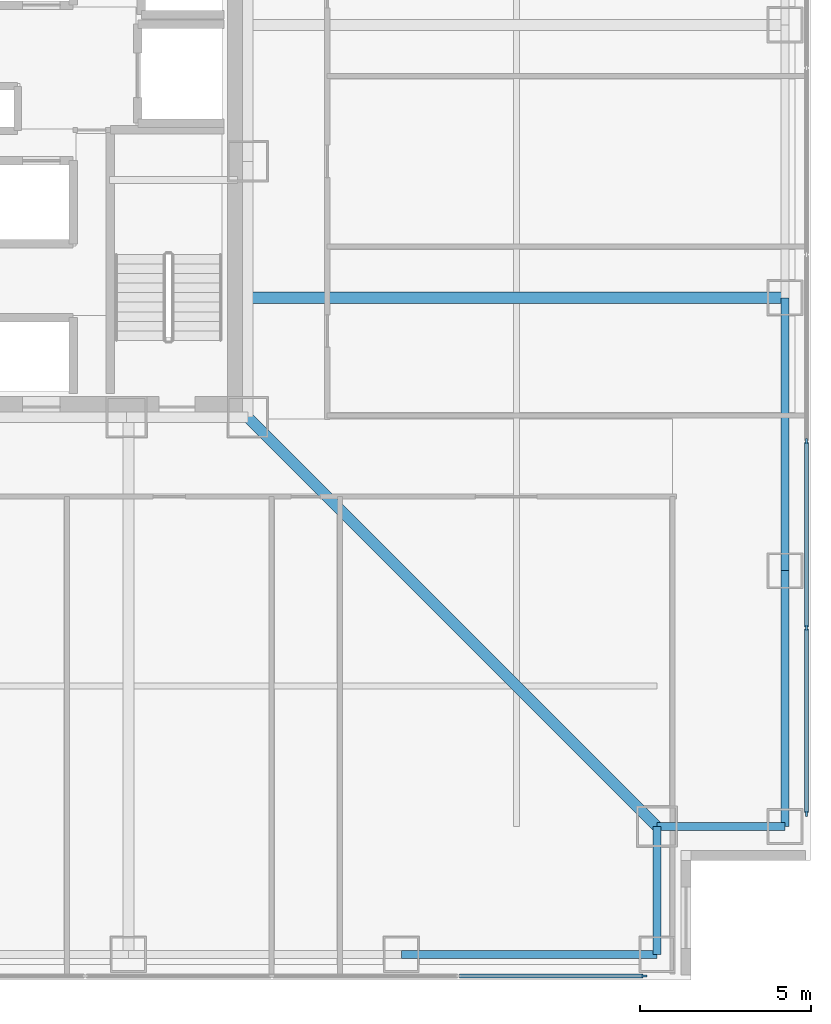
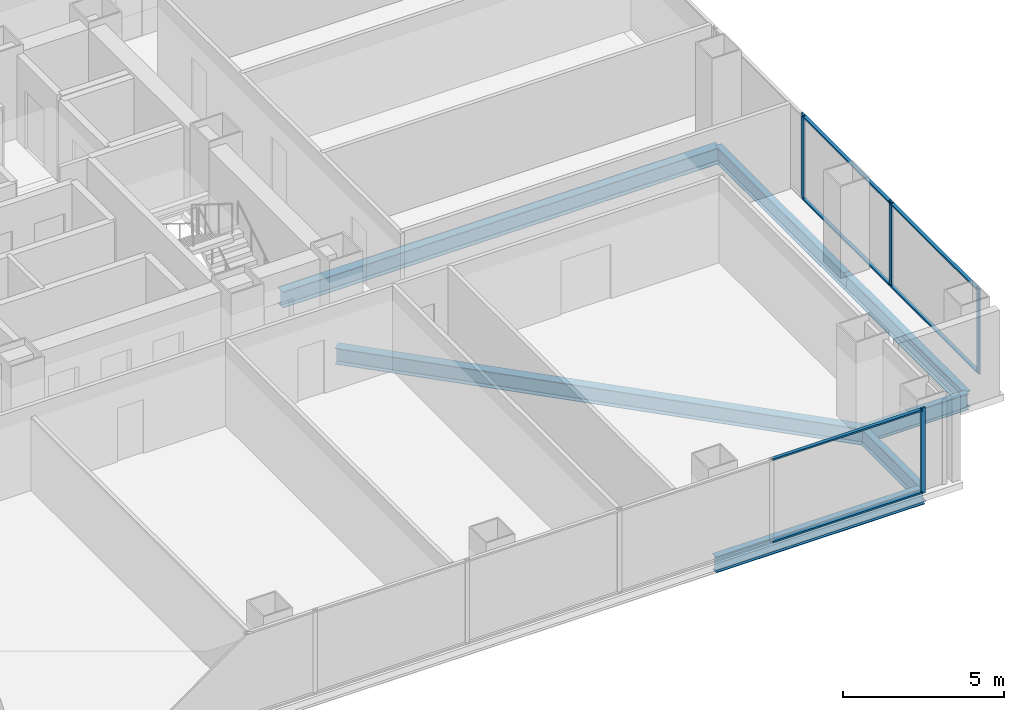
# One storey, part 8 of 19: 10 members, 7 beams, 2 elements without a shape of their own.
"""IFC4 building model written with IfcOpenShell, lengths in metres."""

from ifc_helpers import new_model, si_unit, direction, frame, origin, origin_2d, place, context, subcontext, project, spatial, rectangle, i_section, extrude, material, layer, layer_set, material_profile, profile_set, type_object, element, aggregate, save


model = new_model("IFC4")

# Units and contexts
model_context = context("Model", 3, precision=1e-05, world=origin(), true_north=direction((0.0, 1.0)))
body_context = subcontext(model_context, "Body", "Model", "MODEL_VIEW")
ifc_project = project(units=[si_unit("LENGTHUNIT", "METRE"), si_unit("AREAUNIT", "SQUARE_METRE"), si_unit("VOLUMEUNIT", "CUBIC_METRE"), si_unit("PLANEANGLEUNIT", "RADIAN"), si_unit("MASSUNIT", "GRAM", prefix="KILO")], contexts=[model_context])

# Site, building, storey
site_placement = place(None, origin())
site = spatial("IfcSite", under=ifc_project, at=site_placement, CompositionType="ELEMENT")
building_placement = place(site_placement, origin())
building = spatial("IfcBuilding", under=site, at=building_placement, Name="Trevonay Congress Spire", CompositionType="ELEMENT")
storey_placement = place(building_placement, frame((0.0, 0.0, 41.0)))
storey = spatial("IfcBuildingStorey", under=building, at=storey_placement, Name="L09", CompositionType="ELEMENT", Elevation=41.0)

# Beams
ifc_material_1 = material(Name="Steel ASTM A572 Grade 50", Category="steel")
ifc_material_profile_1 = material_profile(ifc_material_1, i_section(OverallWidth=0.324951171875, OverallDepth=0.615966796875, WebThickness=0.013916015625, FlangeThickness=0.021484375, FilletRadius=0.01806640625, at=origin_2d()), Name="W610x174")
ifc_profile_set_1 = profile_set([ifc_material_profile_1], Name="Steel ASTM A572 Grade 50")
beam_type_1 = type_object("IfcBeamType", Name="BM-GIRD-W610X174", PredefinedType="BEAM", material=ifc_profile_set_1)
beam_1_placement = place(storey_placement, frame((7.5, -7.5, -0.55810546875), z_axis=(0.707106781187, -0.707106781187, 0.0), x_axis=(0.707106781187, 0.707106781187, 0.0)))
element("IfcBeam", 1, at=beam_1_placement, inside=storey, type_object=beam_type_1, Name="L09 structural beam BM-L09-CDSE", PredefinedType="BEAM", context=body_context, shape_type="SweptSolid", body=[
    extrude(i_section(OverallWidth=0.324951171875, OverallDepth=0.615966796875, WebThickness=0.013916015625, FlangeThickness=0.021484375, FilletRadius=0.01806640625, at=origin_2d()), origin(), (0.0, 0.0, 1.0), 16.970458984375),
])
beam_2_placement = place(storey_placement, frame((7.5, -4.0, -0.55810546875), z_axis=(1.0, 0.0, 0.0), x_axis=(0.0, 1.0, 0.0)))
element("IfcBeam", 2, at=beam_2_placement, inside=storey, type_object=beam_type_1, Name="L09 structural beam BM-L09-GE-M", PredefinedType="BEAM", context=body_context, shape_type="SweptSolid", body=[
    extrude(i_section(OverallWidth=0.324951171875, OverallDepth=0.615966796875, WebThickness=0.013916015625, FlangeThickness=0.021484375, FilletRadius=0.01806640625, at=origin_2d()), origin(), (0.0, 0.0, 1.0), 15.75),
])
ifc_material_profile_2 = material_profile(ifc_material_1, i_section(OverallWidth=0.22998046875, OverallDepth=0.616943359375, WebThickness=0.01318359375, FlangeThickness=0.022216796875, FilletRadius=0.01611328125, at=origin_2d()), Name="W610x140")
ifc_profile_set_2 = profile_set([ifc_material_profile_2], Name="Steel ASTM A572 Grade 50")
beam_type_2 = type_object("IfcBeamType", Name="BM-RING-W610X140", PredefinedType="BEAM", material=ifc_profile_set_2)
beam_3_placement = place(storey_placement, frame((23.25, -19.5, -0.55859375), z_axis=(0.0, 1.0, 0.0), x_axis=(-1.0, 0.0, 0.0)))
element("IfcBeam", 3, at=beam_3_placement, inside=storey, type_object=beam_type_2, Name="L09 structural beam BM-L09-PE1", PredefinedType="BEAM", context=body_context, shape_type="SweptSolid", body=[
    extrude(i_section(OverallWidth=0.22998046875, OverallDepth=0.616943359375, WebThickness=0.01318359375, FlangeThickness=0.022216796875, FilletRadius=0.01611328125, at=origin_2d()), origin(), (0.0, 0.0, 1.0), 7.5),
])
beam_4_placement = place(storey_placement, frame((23.25, -12.0, -0.55859375), z_axis=(0.0, 1.0, 0.0), x_axis=(-1.0, 0.0, 0.0)))
element("IfcBeam", 4, at=beam_4_placement, inside=storey, type_object=beam_type_2, Name="L09 structural beam BM-L09-PE2", PredefinedType="BEAM", context=body_context, shape_type="SweptSolid", body=[
    extrude(i_section(OverallWidth=0.22998046875, OverallDepth=0.616943359375, WebThickness=0.01318359375, FlangeThickness=0.022216796875, FilletRadius=0.01611328125, at=origin_2d()), origin(), (0.0, 0.0, 1.0), 8.0),
])
beam_5_placement = place(storey_placement, frame((12.0, -23.25, -0.55859375), z_axis=(1.0, 0.0, 0.0), x_axis=(0.0, 1.0, 0.0)))
element("IfcBeam", 5, at=beam_5_placement, inside=storey, type_object=beam_type_2, Name="L09 structural beam BM-L09-PS5", PredefinedType="BEAM", context=body_context, shape_type="SweptSolid", body=[
    extrude(i_section(OverallWidth=0.22998046875, OverallDepth=0.616943359375, WebThickness=0.01318359375, FlangeThickness=0.022216796875, FilletRadius=0.01611328125, at=origin_2d()), origin(), (0.0, 0.0, 1.0), 7.5),
])
for number, where, z_axis, x_axis, name in (
    (6, (19.5, -23.25, -0.55859375), (0.0, 1.0, 0.0), (-1.0, 0.0, 0.0), "L09 structural beam BM-L09-N1SE"),
    (7, (23.25, -19.5, -0.55859375), (-1.0, 0.0, 0.0), (0.0, -1.0, 0.0), "L09 structural beam BM-L09-N2SE"),
):
    element("IfcBeam", number, at=place(storey_placement, frame(where, z_axis=z_axis, x_axis=x_axis)), inside=storey, type_object=beam_type_2, Name=name, PredefinedType="BEAM", context=body_context, shape_type="SweptSolid", body=[
        extrude(i_section(OverallWidth=0.22998046875, OverallDepth=0.616943359375, WebThickness=0.01318359375, FlangeThickness=0.022216796875, FilletRadius=0.01611328125, at=origin_2d()), origin(), (0.0, 0.0, 1.0), 3.75),
    ])

# Curtain wall, member
ifc_material_2 = material(Name="Pale Anodised Aluminium EN AW-6063-T6", Category="aluminium")
ifc_layer = layer(ifc_material_2, 0.179931640625, Name="Pale Anodised Aluminium EN AW-6063-T6")
ifc_layer_set = layer_set([ifc_layer], Name="Pale Anodised Aluminium EN AW-6063-T6")
curtain_wall_type = type_object("IfcCurtainWallType", Name="CW-SYS02-HOTEL-PALE-METAL", PredefinedType="NOTDEFINED", material=ifc_layer_set)
curtain_wall_1_placement = place(storey_placement, origin())
curtain_wall_1 = element("IfcCurtainWall", 8, at=curtain_wall_1_placement, inside=storey, type_object=curtain_wall_type, Name="L09 S unitised curtain wall", PredefinedType="NOTDEFINED")
ifc_material_profile_3 = material_profile(ifc_material_2, rectangle(XDim=0.06005859375, YDim=0.159912109375, at=origin_2d()), Name="CW-MULLION-160-ALUMINIUM")
ifc_profile_set_3 = profile_set([ifc_material_profile_3], Name="Pale Anodised Aluminium EN AW-6063-T6")
member_type_1 = type_object("IfcMemberType", Name="CW-MULLION-160-ALUMINIUM", PredefinedType="MULLION", material=ifc_profile_set_3)
member_1_placement = place(storey_placement, frame((19.1201171875, -23.8798828125, 0.0), z_axis=(0.0, 0.0, 1.0), x_axis=(0.0, 1.0, 0.0)))
member_1 = element("IfcMember", 9, at=member_1_placement, type_object=member_type_1, Name="CW02 mullion 8", PredefinedType="MULLION", context=body_context, shape_type="SweptSolid", body=[
    extrude(rectangle(XDim=0.06005859375, YDim=0.159912109375, at=origin_2d()), origin(), (0.0, 0.0, 1.0), 3.25),
])

# Curtain wall, members
curtain_wall_2_placement = place(storey_placement, origin())
curtain_wall_2 = element("IfcCurtainWall", 10, at=curtain_wall_2_placement, inside=storey, type_object=curtain_wall_type, Name="L09 E unitised curtain wall", PredefinedType="NOTDEFINED")
member_2_placement = place(storey_placement, frame((23.8798828125, -19.1201171875, 0.0), z_axis=(0.0, 0.0, 1.0), x_axis=(-1.0, 0.0, 0.0)))
member_2 = element("IfcMember", 11, at=member_2_placement, type_object=member_type_1, Name="CW02 mullion 1", PredefinedType="MULLION", context=body_context, shape_type="SweptSolid", body=[
    extrude(rectangle(XDim=0.06005859375, YDim=0.159912109375, at=origin_2d()), origin(), (0.0, 0.0, 1.0), 3.25),
])
member_3_placement = place(storey_placement, frame((23.8798828125, -13.678466796875, 0.0), z_axis=(0.0, 0.0, 1.0), x_axis=(-1.0, 0.0, 0.0)))
member_3 = element("IfcMember", 12, at=member_3_placement, type_object=member_type_1, Name="CW02 mullion 2", PredefinedType="MULLION", context=body_context, shape_type="SweptSolid", body=[
    extrude(rectangle(XDim=0.06005859375, YDim=0.159912109375, at=origin_2d()), origin(), (0.0, 0.0, 1.0), 3.25),
])
member_4_placement = place(storey_placement, frame((23.8798828125, -8.20703125, 0.0), z_axis=(0.0, 0.0, 1.0), x_axis=(-1.0, 0.0, 0.0)))
member_4 = element("IfcMember", 13, at=member_4_placement, type_object=member_type_1, Name="CW02 mullion 3", PredefinedType="MULLION", context=body_context, shape_type="SweptSolid", body=[
    extrude(rectangle(XDim=0.06005859375, YDim=0.159912109375, at=origin_2d()), origin(), (0.0, 0.0, 1.0), 3.25),
])

# Member
ifc_material_profile_4 = material_profile(ifc_material_2, rectangle(XDim=0.1201171875, YDim=0.06005859375, at=origin_2d()), Name="CW-TRANSOM-120-ALUMINIUM")
ifc_profile_set_4 = profile_set([ifc_material_profile_4], Name="Pale Anodised Aluminium EN AW-6063-T6")
member_type_2 = type_object("IfcMemberType", Name="CW-TRANSOM-120-ALUMINIUM", PredefinedType="USERDEFINED", material=ifc_profile_set_4)
member_5_placement = place(storey_placement, frame((13.70849609375, -23.8798828125, 0.06005859375), z_axis=(1.0, 0.0, 0.0), x_axis=(0.0, 1.0, 0.0)))
member_5 = element("IfcMember", 14, at=member_5_placement, type_object=member_type_2, Name="CW02 transom 7.1", ObjectType="TRANSOM", PredefinedType="USERDEFINED", context=body_context, shape_type="SweptSolid", body=[
    extrude(rectangle(XDim=0.1201171875, YDim=0.06005859375, at=origin_2d()), origin(), (0.0, 0.0, 1.0), 5.381591796875),
])

member_6_placement = place(storey_placement, frame((13.70849609375, -23.8798828125, 3.18994140625), z_axis=(1.0, 0.0, 0.0), x_axis=(0.0, 1.0, 0.0)))
member_6 = element("IfcMember", 15, at=member_6_placement, type_object=member_type_2, Name="CW02 transom 7.2", ObjectType="TRANSOM", PredefinedType="USERDEFINED", context=body_context, shape_type="SweptSolid", body=[
    extrude(rectangle(XDim=0.1201171875, YDim=0.06005859375, at=origin_2d()), origin(), (0.0, 0.0, 1.0), 5.381591796875),
])

aggregate(curtain_wall_1, [member_1, member_5, member_6])

member_7_placement = place(storey_placement, frame((23.8798828125, -19.090087890625, 0.06005859375), z_axis=(0.0, 1.0, 0.0), x_axis=(-1.0, 0.0, 0.0)))
member_7 = element("IfcMember", 16, at=member_7_placement, type_object=member_type_2, Name="CW02 transom 1.1", ObjectType="TRANSOM", PredefinedType="USERDEFINED", context=body_context, shape_type="SweptSolid", body=[
    extrude(rectangle(XDim=0.1201171875, YDim=0.06005859375, at=origin_2d()), origin(), (0.0, 0.0, 1.0), 5.381591796875),
])

member_8_placement = place(storey_placement, frame((23.8798828125, -19.090087890625, 3.18994140625), z_axis=(0.0, 1.0, 0.0), x_axis=(-1.0, 0.0, 0.0)))
member_8 = element("IfcMember", 17, at=member_8_placement, type_object=member_type_2, Name="CW02 transom 1.2", ObjectType="TRANSOM", PredefinedType="USERDEFINED", context=body_context, shape_type="SweptSolid", body=[
    extrude(rectangle(XDim=0.1201171875, YDim=0.06005859375, at=origin_2d()), origin(), (0.0, 0.0, 1.0), 5.381591796875),
])

member_9_placement = place(storey_placement, frame((23.8798828125, -13.648681640625, 0.06005859375), z_axis=(0.0, 1.0, 0.0), x_axis=(-1.0, 0.0, 0.0)))
member_9 = element("IfcMember", 18, at=member_9_placement, type_object=member_type_2, Name="CW02 transom 2.1", ObjectType="TRANSOM", PredefinedType="USERDEFINED", context=body_context, shape_type="SweptSolid", body=[
    extrude(rectangle(XDim=0.1201171875, YDim=0.06005859375, at=origin_2d()), origin(), (0.0, 0.0, 1.0), 5.41162109375),
])

member_10_placement = place(storey_placement, frame((23.8798828125, -13.648681640625, 3.18994140625), z_axis=(0.0, 1.0, 0.0), x_axis=(-1.0, 0.0, 0.0)))
member_10 = element("IfcMember", 19, at=member_10_placement, type_object=member_type_2, Name="CW02 transom 2.2", ObjectType="TRANSOM", PredefinedType="USERDEFINED", context=body_context, shape_type="SweptSolid", body=[
    extrude(rectangle(XDim=0.1201171875, YDim=0.06005859375, at=origin_2d()), origin(), (0.0, 0.0, 1.0), 5.41162109375),
])

aggregate(curtain_wall_2, [member_2, member_3, member_4, member_7, member_8, member_9, member_10])

save(model, "model.ifc")
